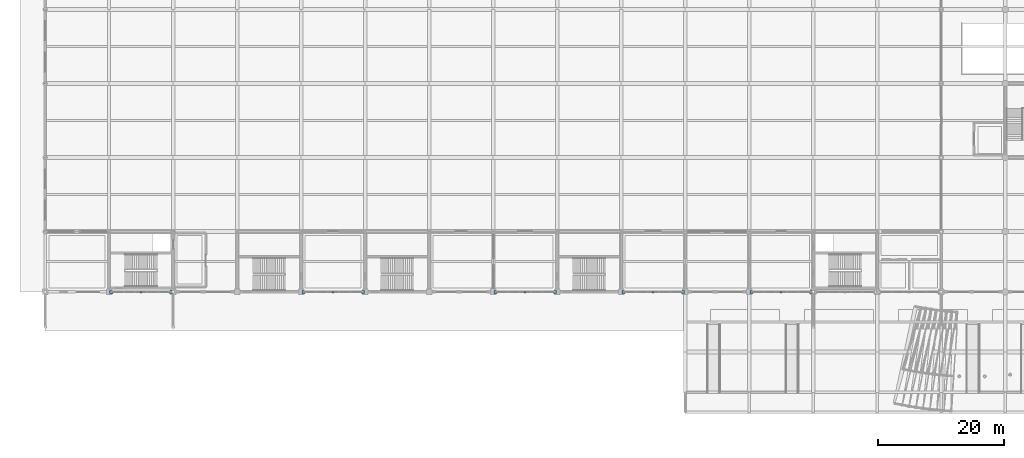
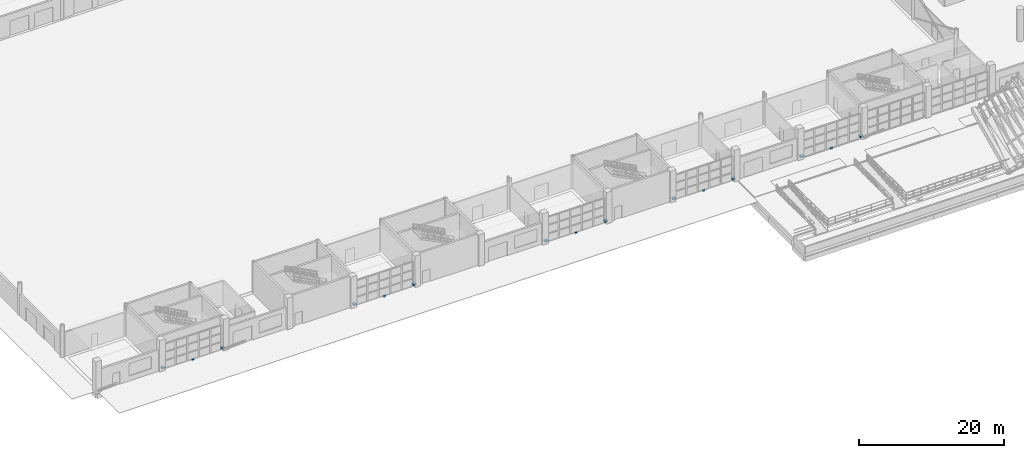
# One storey, part 103 of 124: 15 discrete accessories.
"""IFC4 building model written with IfcOpenShell, lengths in metres."""

from ifc_helpers import new_model, si_unit, direction, frame, origin, origin_2d, place, context, subcontext, project, spatial, rectangle, extrude, material, type_object, element, save


model = new_model("IFC4")

# Units and contexts
model_context = context("Model", 3, precision=1e-05, world=origin(), true_north=direction((0.0, 1.0)))
body_context = subcontext(model_context, "Body", "Model", "MODEL_VIEW")
ifc_project = project(units=[si_unit("LENGTHUNIT", "METRE"), si_unit("AREAUNIT", "SQUARE_METRE"), si_unit("VOLUMEUNIT", "CUBIC_METRE"), si_unit("PLANEANGLEUNIT", "RADIAN"), si_unit("MASSUNIT", "GRAM", prefix="KILO")], contexts=[model_context])

# Site, building, storey
site_placement = place(None, origin())
site = spatial("IfcSite", under=ifc_project, at=site_placement, CompositionType="ELEMENT")
building_placement = place(site_placement, origin())
building = spatial("IfcBuilding", under=site, at=building_placement, Name="Brelvane Convention Centre", CompositionType="ELEMENT")
storey_placement = place(building_placement, origin())
storey = spatial("IfcBuildingStorey", under=building, at=storey_placement, Name="L00", CompositionType="ELEMENT", Elevation=0.0)

# Discrete accessories
ifc_material = material(Name="Steel E350 (350 MPa)", Category="steel")
discrete_accessory_type = type_object("IfcDiscreteAccessoryType", Name="Facade Outrigger Bracket BRK-02", PredefinedType="BRACKET", material=ifc_material)
for number, where, z_axis, x_axis, name in (
    (1, (10.5400390625, 19.199951171875, 0.22998046875), (0.0, 0.0, 1.0), (1.0, 0.0, 0.0), "Curtain Wall Anchor Bracket L00-V1S-02-L"),
    (2, (20.06005859375, 19.199951171875, 0.22998046875), (0.0, 0.0, 1.0), (1.0, 0.0, 0.0), "Curtain Wall Anchor Bracket L00-V1S-02-R"),
):
    element("IfcDiscreteAccessory", number, at=place(storey_placement, frame(where, z_axis=z_axis, x_axis=x_axis)), inside=storey, type_object=discrete_accessory_type, Name=name, PredefinedType="BRACKET", context=body_context, shape_type="SweptSolid", body=[
        extrude(rectangle(XDim=0.47998046875, YDim=0.47998046875, at=origin_2d()), origin(), (0.0, 0.0, 1.0), 0.239990234375),
    ])
discrete_accessory_1_placement = place(storey_placement, frame((15.300048828125, 19.199951171875, -0.14013671875), z_axis=(0.0, 0.0, 1.0), x_axis=(1.0, 0.0, 0.0)))
element("IfcDiscreteAccessory", 3, at=discrete_accessory_1_placement, inside=storey, type_object=discrete_accessory_type, Name="Curtain Wall Anchor Bracket L00-V1S-02-B", PredefinedType="BRACKET", context=body_context, shape_type="SweptSolid", body=[
    extrude(rectangle(XDim=0.320068359375, YDim=0.320068359375, at=origin_2d()), origin(), (0.0, 0.0, 1.0), 0.280029296875),
])
for number, where, z_axis, x_axis, name in (
    (4, (41.139892578125, 19.199951171875, 0.22998046875), (0.0, 0.0, 1.0), (1.0, 0.0, 0.0), "Curtain Wall Anchor Bracket L00-V1S-05-L"),
    (5, (50.659912109375, 19.199951171875, 0.22998046875), (0.0, 0.0, 1.0), (1.0, 0.0, 0.0), "Curtain Wall Anchor Bracket L00-V1S-05-R"),
):
    element("IfcDiscreteAccessory", number, at=place(storey_placement, frame(where, z_axis=z_axis, x_axis=x_axis)), inside=storey, type_object=discrete_accessory_type, Name=name, PredefinedType="BRACKET", context=body_context, shape_type="SweptSolid", body=[
        extrude(rectangle(XDim=0.47998046875, YDim=0.47998046875, at=origin_2d()), origin(), (0.0, 0.0, 1.0), 0.239990234375),
    ])
discrete_accessory_2_placement = place(storey_placement, frame((45.89990234375, 19.199951171875, -0.14013671875), z_axis=(0.0, 0.0, 1.0), x_axis=(1.0, 0.0, 0.0)))
element("IfcDiscreteAccessory", 6, at=discrete_accessory_2_placement, inside=storey, type_object=discrete_accessory_type, Name="Curtain Wall Anchor Bracket L00-V1S-05-B", PredefinedType="BRACKET", context=body_context, shape_type="SweptSolid", body=[
    extrude(rectangle(XDim=0.320068359375, YDim=0.320068359375, at=origin_2d()), origin(), (0.0, 0.0, 1.0), 0.280029296875),
])
for number, where, z_axis, x_axis, name in (
    (7, (71.739990234375, 19.199951171875, 0.22998046875), (0.0, 0.0, 1.0), (1.0, 0.0, 0.0), "Curtain Wall Anchor Bracket L00-V1S-08-L"),
    (8, (81.260009765625, 19.199951171875, 0.22998046875), (0.0, 0.0, 1.0), (1.0, 0.0, 0.0), "Curtain Wall Anchor Bracket L00-V1S-08-R"),
):
    element("IfcDiscreteAccessory", number, at=place(storey_placement, frame(where, z_axis=z_axis, x_axis=x_axis)), inside=storey, type_object=discrete_accessory_type, Name=name, PredefinedType="BRACKET", context=body_context, shape_type="SweptSolid", body=[
        extrude(rectangle(XDim=0.47998046875, YDim=0.47998046875, at=origin_2d()), origin(), (0.0, 0.0, 1.0), 0.239990234375),
    ])
discrete_accessory_3_placement = place(storey_placement, frame((76.5, 19.199951171875, -0.14013671875), z_axis=(0.0, 0.0, 1.0), x_axis=(1.0, 0.0, 0.0)))
element("IfcDiscreteAccessory", 9, at=discrete_accessory_3_placement, inside=storey, type_object=discrete_accessory_type, Name="Curtain Wall Anchor Bracket L00-V1S-08-B", PredefinedType="BRACKET", context=body_context, shape_type="SweptSolid", body=[
    extrude(rectangle(XDim=0.320068359375, YDim=0.320068359375, at=origin_2d()), origin(), (0.0, 0.0, 1.0), 0.280029296875),
])
for number, where, z_axis, x_axis, name in (
    (10, (92.139892578125, 19.199951171875, 0.22998046875), (0.0, 0.0, 1.0), (1.0, 0.0, 0.0), "Curtain Wall Anchor Bracket L00-V1S-10-L"),
    (11, (101.659912109375, 19.199951171875, 0.22998046875), (0.0, 0.0, 1.0), (1.0, 0.0, 0.0), "Curtain Wall Anchor Bracket L00-V1S-10-R"),
):
    element("IfcDiscreteAccessory", number, at=place(storey_placement, frame(where, z_axis=z_axis, x_axis=x_axis)), inside=storey, type_object=discrete_accessory_type, Name=name, PredefinedType="BRACKET", context=body_context, shape_type="SweptSolid", body=[
        extrude(rectangle(XDim=0.47998046875, YDim=0.47998046875, at=origin_2d()), origin(), (0.0, 0.0, 1.0), 0.239990234375),
    ])
discrete_accessory_4_placement = place(storey_placement, frame((96.89990234375, 19.199951171875, -0.14013671875), z_axis=(0.0, 0.0, 1.0), x_axis=(1.0, 0.0, 0.0)))
element("IfcDiscreteAccessory", 12, at=discrete_accessory_4_placement, inside=storey, type_object=discrete_accessory_type, Name="Curtain Wall Anchor Bracket L00-V1S-10-B", PredefinedType="BRACKET", context=body_context, shape_type="SweptSolid", body=[
    extrude(rectangle(XDim=0.320068359375, YDim=0.320068359375, at=origin_2d()), origin(), (0.0, 0.0, 1.0), 0.280029296875),
])
for number, where, z_axis, x_axis, name in (
    (13, (112.5400390625, 19.199951171875, 0.22998046875), (0.0, 0.0, 1.0), (1.0, 0.0, 0.0), "Curtain Wall Anchor Bracket L00-V1S-12-L"),
    (14, (122.06005859375, 19.199951171875, 0.22998046875), (0.0, 0.0, 1.0), (1.0, 0.0, 0.0), "Curtain Wall Anchor Bracket L00-V1S-12-R"),
):
    element("IfcDiscreteAccessory", number, at=place(storey_placement, frame(where, z_axis=z_axis, x_axis=x_axis)), inside=storey, type_object=discrete_accessory_type, Name=name, PredefinedType="BRACKET", context=body_context, shape_type="SweptSolid", body=[
        extrude(rectangle(XDim=0.47998046875, YDim=0.47998046875, at=origin_2d()), origin(), (0.0, 0.0, 1.0), 0.239990234375),
    ])
discrete_accessory_5_placement = place(storey_placement, frame((117.300048828125, 19.199951171875, -0.14013671875), z_axis=(0.0, 0.0, 1.0), x_axis=(1.0, 0.0, 0.0)))
element("IfcDiscreteAccessory", 15, at=discrete_accessory_5_placement, inside=storey, type_object=discrete_accessory_type, Name="Curtain Wall Anchor Bracket L00-V1S-12-B", PredefinedType="BRACKET", context=body_context, shape_type="SweptSolid", body=[
    extrude(rectangle(XDim=0.320068359375, YDim=0.320068359375, at=origin_2d()), origin(), (0.0, 0.0, 1.0), 0.280029296875),
])

save(model, "model.ifc")
